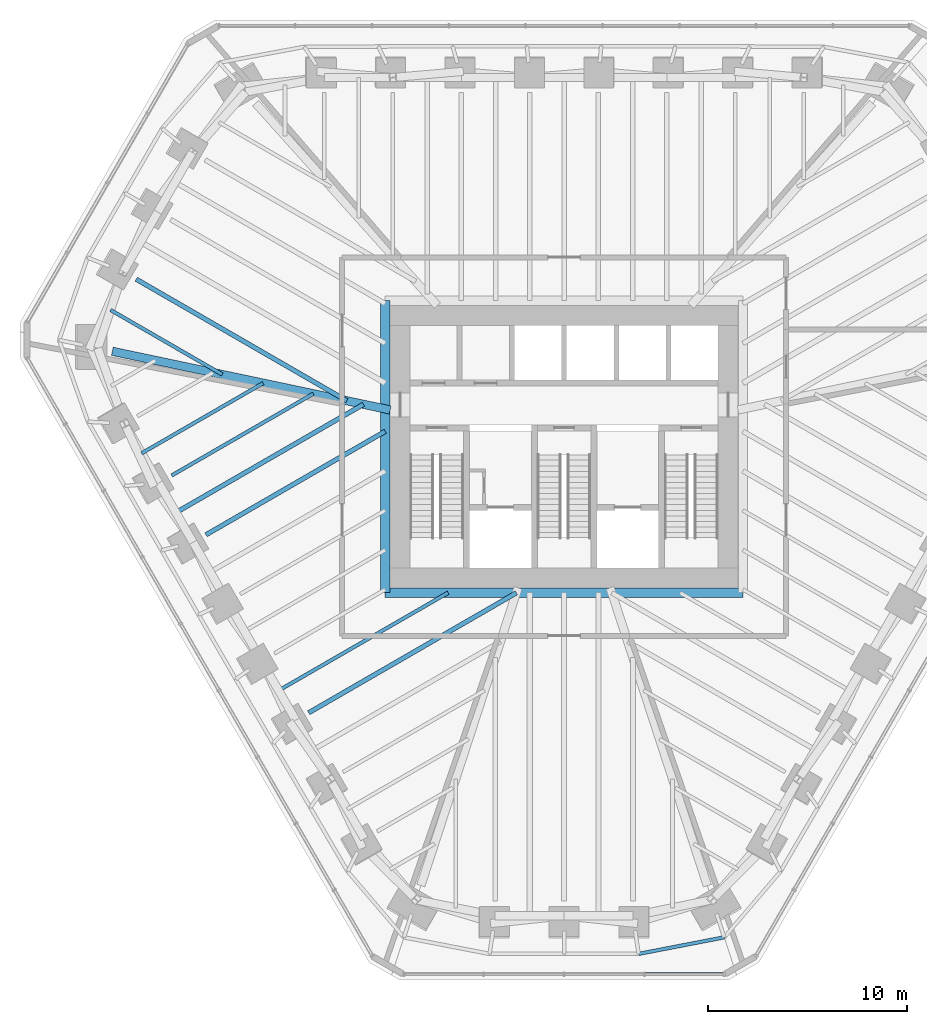
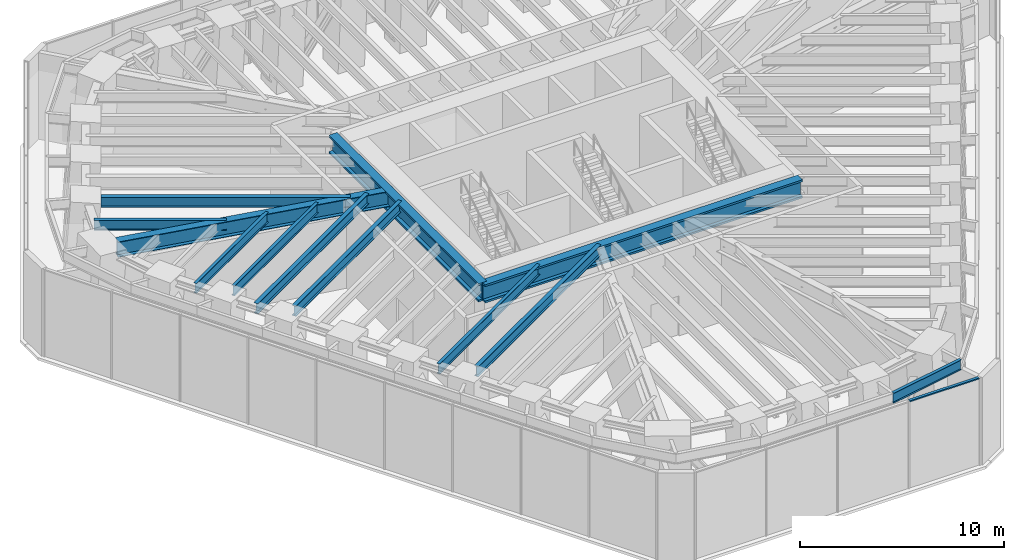
# One storey, part 4 of 13: 12 beams, 1 member, 1 element without a shape of its own.
"""IFC4 building model written with IfcOpenShell, lengths in metres."""

from ifc_helpers import new_model, si_unit, direction, frame, origin, origin_2d, place, context, subcontext, project, spatial, rectangle, i_section, extrude, material, material_profile, profile_set, type_object, element, aggregate, save


model = new_model("IFC4")

# Units and contexts
model_context = context("Model", 3, precision=1e-05, world=origin(), true_north=direction((0.0, 1.0)))
body_context = subcontext(model_context, "Body", "Model", "MODEL_VIEW")
ifc_project = project(units=[si_unit("LENGTHUNIT", "METRE"), si_unit("AREAUNIT", "SQUARE_METRE"), si_unit("VOLUMEUNIT", "CUBIC_METRE"), si_unit("PLANEANGLEUNIT", "RADIAN"), si_unit("MASSUNIT", "GRAM", prefix="KILO")], contexts=[model_context])

# Site, building, storey
site_placement = place(None, origin())
site = spatial("IfcSite", under=ifc_project, at=site_placement, CompositionType="ELEMENT")
building_placement = place(site_placement, origin())
building = spatial("IfcBuilding", under=site, at=building_placement, Name="Sandreach Pilgrim Tower", CompositionType="ELEMENT")
storey_placement = place(building_placement, frame((0.0, 0.0, 251.60009765625)))
storey = spatial("IfcBuildingStorey", under=building, at=storey_placement, Name="L63", CompositionType="ELEMENT", Elevation=251.60009765625)

# Curtain wall, member
ifc_material_1 = material(Name="Aluminium framed curtain wall", Category="aluminium")
curtain_wall_type = type_object("IfcCurtainWallType", Name="Plant storey louvred curtain wall", PredefinedType="NOTDEFINED", material=ifc_material_1)
curtain_wall_placement = place(storey_placement, origin())
curtain_wall = element("IfcCurtainWall", 1, at=curtain_wall_placement, inside=storey, type_object=curtain_wall_type, Name="CW-L L63 S", PredefinedType="NOTDEFINED")
ifc_material_2 = material(Name="Aluminium extrusion", Category="aluminium")
ifc_material_profile_1 = material_profile(ifc_material_2, rectangle(XDim=0.159912109375, YDim=0.070068359375, at=origin_2d()), Name="CW-LT 160X70")
ifc_profile_set_1 = profile_set([ifc_material_profile_1], Name="Aluminium extrusion")
member_type = type_object("IfcMemberType", Name="CW-L transom", PredefinedType="USERDEFINED", material=ifc_profile_set_1)
member_placement = place(storey_placement, frame((8.017333984375, -26.525146484375, 5.204833984375), z_axis=(-1.0, 0.0, 0.0), x_axis=(0.0, -1.0, 0.0)))
member = element("IfcMember", 2, at=member_placement, type_object=member_type, Name="CW-L head transom 1", ObjectType="TRANSOM", PredefinedType="USERDEFINED", context=body_context, shape_type="SweptSolid", body=[
    extrude(rectangle(XDim=0.159912109375, YDim=0.070068359375, at=origin_2d()), origin(), (0.0, 0.0, 1.0), 3.9287109375),
])
aggregate(curtain_wall, [member])

# Beams
ifc_material_3 = material(Name="Steel ASTM A992 Grade 50", Category="steel")
ifc_material_profile_2 = material_profile(ifc_material_3, i_section(OverallWidth=0.472412109375, OverallDepth=1.0947265625, WebThickness=0.07666015625, FlangeThickness=0.114990234375, at=origin_2d()), Name="W36X925")
ifc_profile_set_2 = profile_set([ifc_material_profile_2], Name="Steel ASTM A992 Grade 50")
beam_type_1 = type_object("IfcBeamType", Name="Core edge beam W36X925", PredefinedType="BEAM", material=ifc_profile_set_2)
beam_1_placement = place(storey_placement, frame((8.996337890625, -7.34619140625, 4.692626953125), z_axis=(-1.0, 0.0, 0.0), x_axis=(0.0, -1.0, 0.0)))
element("IfcBeam", 3, at=beam_1_placement, inside=storey, type_object=beam_type_1, Name="BM L63 CES", PredefinedType="BEAM", context=body_context, shape_type="SweptSolid", body=[
    extrude(i_section(OverallWidth=0.472412109375, OverallDepth=1.0947265625, WebThickness=0.07666015625, FlangeThickness=0.114990234375, at=origin_2d()), origin(), (0.0, 0.0, 1.0), 17.99267578125),
])
beam_2_placement = place(storey_placement, frame((-8.996337890625, -7.34619140625, 4.692626953125), z_axis=(0.0, 1.0, 0.0), x_axis=(-1.0, 0.0, 0.0)))
element("IfcBeam", 4, at=beam_2_placement, inside=storey, type_object=beam_type_1, Name="BM L63 CEW", PredefinedType="BEAM", context=body_context, shape_type="SweptSolid", body=[
    extrude(i_section(OverallWidth=0.472412109375, OverallDepth=1.0947265625, WebThickness=0.07666015625, FlangeThickness=0.114990234375, at=origin_2d()), origin(), (0.0, 0.0, 1.0), 14.6923828125),
])
ifc_material_4 = material(Name="Steel ASTM A992 Grade 50", Category="steel")
ifc_material_profile_3 = material_profile(ifc_material_4, i_section(OverallWidth=0.419189453125, OverallDepth=0.927001953125, WebThickness=0.019287109375, FlangeThickness=0.031982421875, at=origin_2d()), Name="W36X231")
ifc_profile_set_3 = profile_set([ifc_material_profile_3], Name="Steel ASTM A992 Grade 50")
beam_type_2 = type_object("IfcBeamType", Name="Corner girder W36X231", PredefinedType="BEAM", material=ifc_profile_set_3)
beam_3_placement = place(storey_placement, frame((-22.721923828125, 4.79736328125, 4.7763671875), z_axis=(0.978429715267, -0.206579990033, 0.0), x_axis=(0.206579990033, 0.978429715267, 0.0)))
element("IfcBeam", 5, at=beam_3_placement, inside=storey, type_object=beam_type_2, Name="BM L63 CG35", PredefinedType="BEAM", context=body_context, shape_type="SweptSolid", body=[
    extrude(i_section(OverallWidth=0.419189453125, OverallDepth=0.927001953125, WebThickness=0.019287109375, FlangeThickness=0.031982421875, at=origin_2d()), origin(), (0.0, 0.0, 1.0), 14.280029296875),
])
ifc_material_5 = material(Name="Steel ASTM A992 Grade 50", Category="steel")
ifc_material_profile_4 = material_profile(ifc_material_5, i_section(OverallWidth=0.1787109375, OverallDepth=0.60205078125, WebThickness=0.010986328125, FlangeThickness=0.014892578125, at=origin_2d()), Name="W24X62")
ifc_profile_set_4 = profile_set([ifc_material_profile_4], Name="Steel ASTM A992 Grade 50")
beam_type_3 = type_object("IfcBeamType", Name="Floor beam W24X62", PredefinedType="BEAM", material=ifc_profile_set_4)
beam_4_placement = place(storey_placement, frame((-19.73583984375, -1.449462890625, 4.93896484375), z_axis=(0.866035319247, 0.499982825521, 0.0), x_axis=(-0.499982825521, 0.866035319247, 0.0)))
element("IfcBeam", 6, at=beam_4_placement, inside=storey, type_object=beam_type_3, Name="BM L63 F33", PredefinedType="BEAM", context=body_context, shape_type="SweptSolid", body=[
    extrude(i_section(OverallWidth=0.1787109375, OverallDepth=0.60205078125, WebThickness=0.010986328125, FlangeThickness=0.014892578125, at=origin_2d()), origin(), (0.0, 0.0, 1.0), 8.224853515625),
])
beam_5_placement = place(storey_placement, frame((-14.3564453125, -12.2666015625, 4.93896484375), z_axis=(0.866026942079, 0.499997335587, 0.0), x_axis=(-0.499997335587, 0.866026942079, 0.0)))
element("IfcBeam", 7, at=beam_5_placement, inside=storey, type_object=beam_type_3, Name="BM L63 FM29", PredefinedType="BEAM", context=body_context, shape_type="SweptSolid", body=[
    extrude(i_section(OverallWidth=0.1787109375, OverallDepth=0.60205078125, WebThickness=0.010986328125, FlangeThickness=0.014892578125, at=origin_2d()), origin(), (0.0, 0.0, 1.0), 9.8408203125),
])
beam_6_placement = place(storey_placement, frame((-21.24658203125, -0.332763671875, 4.93896484375), z_axis=(0.866028878405, 0.499993981732, 0.0), x_axis=(-0.499993981732, 0.866028878405, 0.0)))
element("IfcBeam", 8, at=beam_6_placement, inside=storey, type_object=beam_type_3, Name="BM L63 FM33", PredefinedType="BEAM", context=body_context, shape_type="SweptSolid", body=[
    extrude(i_section(OverallWidth=0.1787109375, OverallDepth=0.60205078125, WebThickness=0.010986328125, FlangeThickness=0.014892578125, at=origin_2d()), origin(), (0.0, 0.0, 1.0), 7.056640625),
])
beam_7_placement = place(storey_placement, frame((-22.8125, 6.875, 4.93896484375), z_axis=(0.866023980233, -0.500002465655, 0.0), x_axis=(0.500002465655, 0.866023980233, 0.0)))
element("IfcBeam", 9, at=beam_7_placement, inside=storey, type_object=beam_type_3, Name="BM L63 FM35", PredefinedType="BEAM", context=body_context, shape_type="SweptSolid", body=[
    extrude(i_section(OverallWidth=0.1787109375, OverallDepth=0.60205078125, WebThickness=0.010986328125, FlangeThickness=0.014892578125, at=origin_2d()), origin(), (0.0, 0.0, 1.0), 6.49072265625),
])
ifc_material_6 = material(Name="Steel ASTM A992 Grade 50", Category="steel")
ifc_material_profile_5 = material_profile(ifc_material_6, i_section(OverallWidth=0.23046875, OverallDepth=0.6171875, WebThickness=0.01318359375, FlangeThickness=0.022216796875, at=origin_2d()), Name="W24X94")
ifc_profile_set_5 = profile_set([ifc_material_profile_5], Name="Steel ASTM A992 Grade 50")
beam_type_4 = type_object("IfcBeamType", Name="Floor beam W24X94", PredefinedType="BEAM", material=ifc_profile_set_5)
beam_8_placement = place(storey_placement, frame((-12.845703125, -13.383544921875, 4.931396484375), z_axis=(0.866016036554, 0.500016224167, 0.0), x_axis=(-0.500016224167, 0.866016036554, 0.0)))
element("IfcBeam", 10, at=beam_8_placement, inside=storey, type_object=beam_type_4, Name="BM L63 F29", PredefinedType="BEAM", context=body_context, shape_type="SweptSolid", body=[
    extrude(i_section(OverallWidth=0.23046875, OverallDepth=0.6171875, WebThickness=0.01318359375, FlangeThickness=0.022216796875, at=origin_2d()), origin(), (0.0, 0.0, 1.0), 12.0615234375),
])
beam_9_placement = place(storey_placement, frame((-18.01318359375, -4.43310546875, 4.931396484375), z_axis=(0.866018067753, 0.500012706164, 0.0), x_axis=(-0.500012706164, 0.866018067753, 0.0)))
element("IfcBeam", 11, at=beam_9_placement, inside=storey, type_object=beam_type_4, Name="BM L63 F32", PredefinedType="BEAM", context=body_context, shape_type="SweptSolid", body=[
    extrude(i_section(OverallWidth=0.23046875, OverallDepth=0.6171875, WebThickness=0.01318359375, FlangeThickness=0.022216796875, at=origin_2d()), origin(), (0.0, 0.0, 1.0), 10.411865234375),
])
beam_10_placement = place(storey_placement, frame((-21.519775390625, 8.4228515625, 4.931396484375), z_axis=(0.866026038864, -0.499998900008, 0.0), x_axis=(0.499998900008, 0.866026038864, 0.0)))
element("IfcBeam", 12, at=beam_10_placement, inside=storey, type_object=beam_type_4, Name="BM L63 F36", PredefinedType="BEAM", context=body_context, shape_type="SweptSolid", body=[
    extrude(i_section(OverallWidth=0.23046875, OverallDepth=0.6171875, WebThickness=0.01318359375, FlangeThickness=0.022216796875, at=origin_2d()), origin(), (0.0, 0.0, 1.0), 12.2314453125),
])
beam_11_placement = place(storey_placement, frame((-19.52392578125, -3.316162109375, 4.931396484375), z_axis=(0.866029205616, 0.499993414976, 0.0), x_axis=(-0.499993414976, 0.866029205616, 0.0)))
element("IfcBeam", 13, at=beam_11_placement, inside=storey, type_object=beam_type_4, Name="BM L63 FM32", PredefinedType="BEAM", context=body_context, shape_type="SweptSolid", body=[
    extrude(i_section(OverallWidth=0.23046875, OverallDepth=0.6171875, WebThickness=0.01318359375, FlangeThickness=0.022216796875, at=origin_2d()), origin(), (0.0, 0.0, 1.0), 10.893310546875),
])
ifc_material_7 = material(Name="Steel ASTM A992 Grade 50", Category="steel")
ifc_material_profile_6 = material_profile(ifc_material_7, i_section(OverallWidth=0.1787109375, OverallDepth=0.60205078125, WebThickness=0.010986328125, FlangeThickness=0.014892578125, at=origin_2d()), Name="W24X62")
ifc_profile_set_6 = profile_set([ifc_material_profile_6], Name="Steel ASTM A992 Grade 50")
beam_type_5 = type_object("IfcBeamType", Name="Setback roof edge beam W24X62", PredefinedType="BEAM", material=ifc_profile_set_6)
beam_12_placement = place(storey_placement, frame((8.05615234375, -24.679443359375, 4.89892578125), z_axis=(-0.98182467975, -0.189790142616, 0.0), x_axis=(0.189790142616, -0.98182467975, 0.0)))
element("IfcBeam", 14, at=beam_12_placement, inside=storey, type_object=beam_type_5, Name="BM L63 RE22", PredefinedType="BEAM", context=body_context, shape_type="SweptSolid", body=[
    extrude(i_section(OverallWidth=0.1787109375, OverallDepth=0.60205078125, WebThickness=0.010986328125, FlangeThickness=0.014892578125, at=origin_2d()), origin(), (0.0, 0.0, 1.0), 4.38916015625),
])

save(model, "model.ifc")
